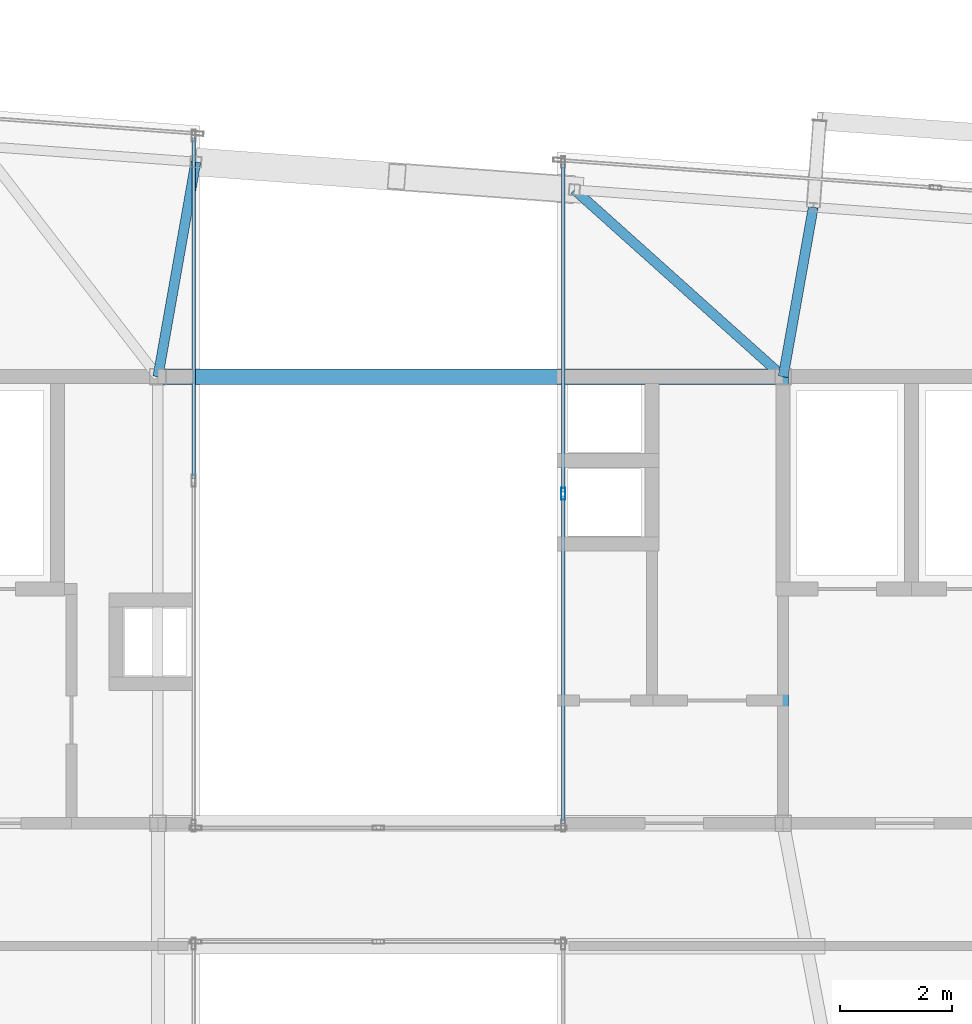
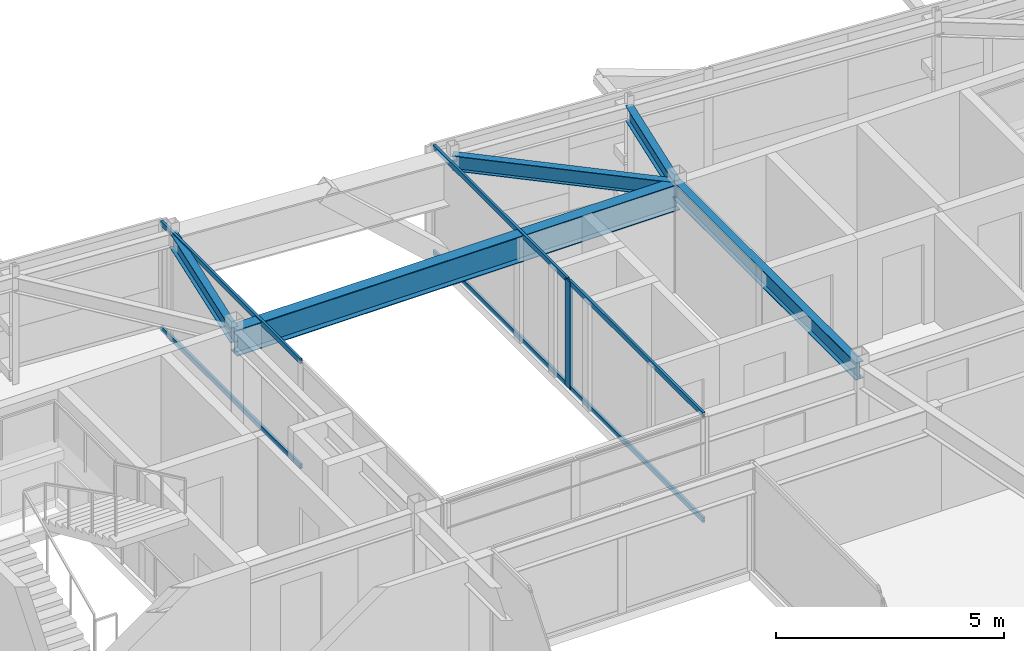
# One storey, part 18 of 40: 7 members, 5 beams, 2 elements without a shape of their own.
"""IFC4 building model written with IfcOpenShell, lengths in metres."""

from ifc_helpers import new_model, si_unit, direction, frame, origin, origin_2d, place, context, subcontext, project, spatial, hollow_rectangle, i_section, extrude, source, transform, mapped, material, layer, layer_set, material_profile, profile_set, type_object, element, aggregate, save


model = new_model("IFC4")

# Units and contexts
model_context = context("Model", 3, precision=1e-05, world=origin(), true_north=direction((0.0, 1.0)))
body_context = subcontext(model_context, "Body", "Model", "MODEL_VIEW")
ifc_project = project(units=[si_unit("LENGTHUNIT", "METRE"), si_unit("AREAUNIT", "SQUARE_METRE"), si_unit("VOLUMEUNIT", "CUBIC_METRE"), si_unit("PLANEANGLEUNIT", "RADIAN"), si_unit("MASSUNIT", "GRAM", prefix="KILO")], contexts=[model_context])

# Site, building, storey
site_placement = place(None, origin())
site = spatial("IfcSite", under=ifc_project, at=site_placement, CompositionType="ELEMENT")
building_placement = place(site_placement, origin())
building = spatial("IfcBuilding", under=site, at=building_placement, Name="Taldren Reach Tower", CompositionType="ELEMENT")
storey_placement = place(building_placement, frame((0.0, 0.0, 233.449951171875)))
storey = spatial("IfcBuildingStorey", under=building, at=storey_placement, Name="L71", CompositionType="ELEMENT", Elevation=233.449951171875)

# Beams
ifc_material_1 = material(Name="Steel Gr 350 (350PLUS)", Category="steel")
ifc_material_profile_1 = material_profile(ifc_material_1, i_section(OverallWidth=0.19091796875, OverallDepth=0.4599609375, WebThickness=0.010009765625, FlangeThickness=0.01611328125, at=origin_2d()), Name="460UB82.1")
ifc_profile_set_1 = profile_set([ifc_material_profile_1], Name="Steel Gr 350 (350PLUS)")
beam_type_1 = type_object("IfcBeamType", Name="BM-UB460A", PredefinedType="BEAM", material=ifc_profile_set_1)
shared_shape_1 = source(origin(), body_context, "Body", "SweptSolid", [
    extrude(i_section(OverallWidth=0.19091796875, OverallDepth=0.4599609375, WebThickness=0.010009765625, FlangeThickness=0.01611328125, at=origin_2d()), origin(), (0.0, 0.0, 1.0), 8.0),
])
beam_1_placement = place(storey_placement, frame((39.199951171875, 24.0, 2.64013671875), z_axis=(0.0, 1.0, 0.0), x_axis=(-1.0, 0.0, 0.0)))
element("IfcBeam", 1, at=beam_1_placement, inside=storey, type_object=beam_type_1, Name="Core-spine girder L71-SP08", PredefinedType="BEAM", context=body_context, shape_type="MappedRepresentation", body=[
    mapped(shared_shape_1, transform((0.0, 0.0, 0.0), scale=1.0)),
])
ifc_material_profile_2 = material_profile(ifc_material_1, i_section(OverallWidth=0.177978515625, OverallDepth=0.406005859375, WebThickness=0.0078125, FlangeThickness=0.0126953125, at=origin_2d()), Name="410UB59.7")
ifc_profile_set_2 = profile_set([ifc_material_profile_2], Name="Steel Gr 350 (350PLUS)")
beam_type_2 = type_object("IfcBeamType", Name="BM-UB410", PredefinedType="BEAM", material=ifc_profile_set_2)
shared_shape_2 = source(origin(), body_context, "Body", "SweptSolid", [
    extrude(i_section(OverallWidth=0.177978515625, OverallDepth=0.406005859375, WebThickness=0.0078125, FlangeThickness=0.0126953125, at=origin_2d()), origin(), (0.0, 0.0, 1.0), 3.0830078125),
])
beam_2_placement = place(storey_placement, frame((39.199951171875, 32.0, 2.6669921875), z_axis=(0.17500945263, 0.984566753191, 0.0), x_axis=(-0.984566753191, 0.17500945263, 0.0)))
element("IfcBeam", 2, at=beam_2_placement, inside=storey, type_object=beam_type_2, Name="Primary floor girder B5-N4 L71", PredefinedType="BEAM", context=body_context, shape_type="MappedRepresentation", body=[
    mapped(shared_shape_2, transform((0.0, 0.0, 0.0), scale=1.0)),
])
shared_shape_3 = source(origin(), body_context, "Body", "SweptSolid", [
    extrude(i_section(OverallWidth=0.177978515625, OverallDepth=0.406005859375, WebThickness=0.0078125, FlangeThickness=0.0126953125, at=origin_2d()), origin(), (0.0, 0.0, 1.0), 5.02001953125),
])
beam_3_placement = place(storey_placement, frame((39.199951171875, 32.0, 2.6669921875), z_axis=(-0.744827782377, 0.667256753132, 0.0), x_axis=(-0.667256753132, -0.744827782377, 0.0)))
element("IfcBeam", 3, at=beam_3_placement, inside=storey, type_object=beam_type_2, Name="Primary floor girder B5-PJN2 L71", PredefinedType="BEAM", context=body_context, shape_type="MappedRepresentation", body=[
    mapped(shared_shape_3, transform((0.0, 0.0, 0.0), scale=1.0)),
])
shared_shape_4 = source(origin(), body_context, "Body", "SweptSolid", [
    extrude(i_section(OverallWidth=0.177978515625, OverallDepth=0.406005859375, WebThickness=0.0078125, FlangeThickness=0.0126953125, at=origin_2d()), origin(), (0.0, 0.0, 1.0), 3.9072265625),
])
beam_4_placement = place(storey_placement, frame((28.0, 32.0, 2.6669921875), z_axis=(0.173835238379, 0.984774750843, 0.0), x_axis=(-0.984774750843, 0.173835238379, 0.0)))
element("IfcBeam", 4, at=beam_4_placement, inside=storey, type_object=beam_type_2, Name="Primary floor girder B5-PJN1 L71", PredefinedType="BEAM", context=body_context, shape_type="MappedRepresentation", body=[
    mapped(shared_shape_4, transform((0.0, 0.0, 0.0), scale=1.0)),
])
ifc_material_profile_3 = material_profile(ifc_material_1, i_section(OverallWidth=0.27490234375, OverallDepth=0.699951171875, WebThickness=0.010009765625, FlangeThickness=0.02001953125, at=origin_2d()), Name="700WB150")
ifc_profile_set_3 = profile_set([ifc_material_profile_3], Name="Steel Gr 350 (350PLUS)")
beam_type_3 = type_object("IfcBeamType", Name="BM-WB700", PredefinedType="BEAM", material=ifc_profile_set_3)
shared_shape_5 = source(origin(), body_context, "Body", "SweptSolid", [
    extrude(i_section(OverallWidth=0.27490234375, OverallDepth=0.699951171875, WebThickness=0.010009765625, FlangeThickness=0.02001953125, at=origin_2d()), origin(), (0.0, 0.0, 1.0), 11.199951171875),
])
beam_5_placement = place(storey_placement, frame((28.0, 32.0, 2.52001953125), z_axis=(1.0, 0.0, 0.0), x_axis=(0.0, 1.0, 0.0)))
element("IfcBeam", 5, at=beam_5_placement, inside=storey, type_object=beam_type_3, Name="Core-spine girder L71-SP05", PredefinedType="BEAM", context=body_context, shape_type="MappedRepresentation", body=[
    mapped(shared_shape_5, transform((0.0, 0.0, 0.0), scale=1.0)),
])

# Curtain wall, members
ifc_material_2 = material(Name="Aluminium and Low-E Glass Unitised System", Category="aluminium")
ifc_layer = layer(ifc_material_2, 0.159912109375)
ifc_layer_set = layer_set([ifc_layer], Name="Aluminium and Low-E Glass Unitised System")
curtain_wall_type = type_object("IfcCurtainWallType", Name="CW-SYS-7", PredefinedType="NOTDEFINED", material=ifc_layer_set)
curtain_wall_1_placement = place(storey_placement, origin())
curtain_wall_1 = element("IfcCurtainWall", 6, at=curtain_wall_1_placement, inside=storey, type_object=curtain_wall_type, Name="Unitised curtain wall CW7-L71-PNW", PredefinedType="NOTDEFINED")
ifc_material_3 = material(Name="Anodised Aluminium 6063-T6", Category="aluminium")
ifc_material_profile_4 = material_profile(ifc_material_3, hollow_rectangle(XDim=0.06005859375, YDim=0.135009765625, WallThickness=0.00341796875, at=origin_2d()), Name="ALU-135x60x3.5RHS")
ifc_profile_set_4 = profile_set([ifc_material_profile_4], Name="Anodised Aluminium 6063-T6")
member_type_1 = type_object("IfcMemberType", Name="CW-TRN-150", PredefinedType="USERDEFINED", material=ifc_profile_set_4)
shared_shape_6 = source(origin(), body_context, "Body", "SweptSolid", [
    extrude(hollow_rectangle(XDim=0.06005859375, YDim=0.135009765625, WallThickness=0.00341796875, at=origin_2d()), origin(), (0.0, 0.0, 1.0), 6.1044921875),
])
member_1_placement = place(storey_placement, frame((28.639892578125, 30.17431640625, 0.030029296875), z_axis=(0.0, 1.0, 0.0), x_axis=(-1.0, 0.0, 0.0)))
member_1 = element("IfcMember", 7, at=member_1_placement, type_object=member_type_1, Name="CW-7 transom 2.1", ObjectType="TRANSOM", PredefinedType="USERDEFINED", context=body_context, shape_type="MappedRepresentation", body=[
    mapped(shared_shape_6, transform((0.0, 0.0, 0.0), scale=1.0)),
])
member_2_placement = place(storey_placement, frame((28.639892578125, 30.17431640625, 2.840087890625), z_axis=(0.0, 1.0, 0.0), x_axis=(-1.0, 0.0, 0.0)))
member_2 = element("IfcMember", 8, at=member_2_placement, type_object=member_type_1, Name="CW-7 transom 2.2", ObjectType="TRANSOM", PredefinedType="USERDEFINED", context=body_context, shape_type="MappedRepresentation", body=[
    mapped(shared_shape_6, transform((0.0, 0.0, 0.0), scale=1.0)),
])
aggregate(curtain_wall_1, [member_1, member_2])

curtain_wall_2_placement = place(storey_placement, origin())
curtain_wall_2 = element("IfcCurtainWall", 9, at=curtain_wall_2_placement, inside=storey, type_object=curtain_wall_type, Name="Unitised curtain wall CW7-L71-PNE", PredefinedType="NOTDEFINED")
shared_shape_7 = source(origin(), body_context, "Body", "SweptSolid", [
    extrude(hollow_rectangle(XDim=0.06005859375, YDim=0.135009765625, WallThickness=0.00341796875, at=origin_2d()), origin(), (0.0, 0.0, 1.0), 5.869384765625),
])
member_3_placement = place(storey_placement, frame((35.260009765625, 35.808837890625, 0.030029296875), z_axis=(0.0, -1.0, 0.0), x_axis=(1.0, 0.0, 0.0)))
member_3 = element("IfcMember", 10, at=member_3_placement, type_object=member_type_1, Name="CW-7 transom 1.1", ObjectType="TRANSOM", PredefinedType="USERDEFINED", context=body_context, shape_type="MappedRepresentation", body=[
    mapped(shared_shape_7, transform((0.0, 0.0, 0.0), scale=1.0)),
])
member_4_placement = place(storey_placement, frame((35.260009765625, 35.808837890625, 2.840087890625), z_axis=(0.0, -1.0, 0.0), x_axis=(1.0, 0.0, 0.0)))
member_4 = element("IfcMember", 11, at=member_4_placement, type_object=member_type_1, Name="CW-7 transom 1.2", ObjectType="TRANSOM", PredefinedType="USERDEFINED", context=body_context, shape_type="MappedRepresentation", body=[
    mapped(shared_shape_7, transform((0.0, 0.0, 0.0), scale=1.0)),
])
member_5_placement = place(storey_placement, frame((35.260009765625, 29.864501953125, 0.030029296875), z_axis=(0.0, -1.0, 0.0), x_axis=(1.0, 0.0, 0.0)))
member_5 = element("IfcMember", 12, at=member_5_placement, type_object=member_type_1, Name="CW-7 transom 2.1", ObjectType="TRANSOM", PredefinedType="USERDEFINED", context=body_context, shape_type="MappedRepresentation", body=[
    mapped(shared_shape_7, transform((0.0, 0.0, 0.0), scale=1.0)),
])
member_6_placement = place(storey_placement, frame((35.260009765625, 29.864501953125, 2.840087890625), z_axis=(0.0, -1.0, 0.0), x_axis=(1.0, 0.0, 0.0)))
member_6 = element("IfcMember", 13, at=member_6_placement, type_object=member_type_1, Name="CW-7 transom 2.2", ObjectType="TRANSOM", PredefinedType="USERDEFINED", context=body_context, shape_type="MappedRepresentation", body=[
    mapped(shared_shape_7, transform((0.0, 0.0, 0.0), scale=1.0)),
])
ifc_material_profile_5 = material_profile(ifc_material_3, hollow_rectangle(XDim=0.074951171875, YDim=0.2099609375, WallThickness=0.00439453125, at=origin_2d()), Name="ALU-210x75x4.5RHS")
ifc_profile_set_5 = profile_set([ifc_material_profile_5], Name="Anodised Aluminium 6063-T6")
member_type_2 = type_object("IfcMemberType", Name="CW-MUL-200", PredefinedType="MULLION", material=ifc_profile_set_5)
shared_shape_8 = source(origin(), body_context, "Body", "SweptSolid", [
    extrude(hollow_rectangle(XDim=0.074951171875, YDim=0.2099609375, WallThickness=0.00439453125, at=origin_2d()), origin(), (0.0, 0.0, 1.0), 2.8701171875),
])
member_7_placement = place(storey_placement, frame((35.260009765625, 29.90185546875, 0.0), z_axis=(0.0, 0.0, 1.0), x_axis=(1.0, 0.0, 0.0)))
member_7 = element("IfcMember", 14, at=member_7_placement, type_object=member_type_2, Name="CW-7 mullion 2", PredefinedType="MULLION", context=body_context, shape_type="MappedRepresentation", body=[
    mapped(shared_shape_8, transform((0.0, 0.0, 0.0), scale=1.0)),
])
aggregate(curtain_wall_2, [member_7, member_3, member_4, member_5, member_6])

save(model, "model.ifc")
